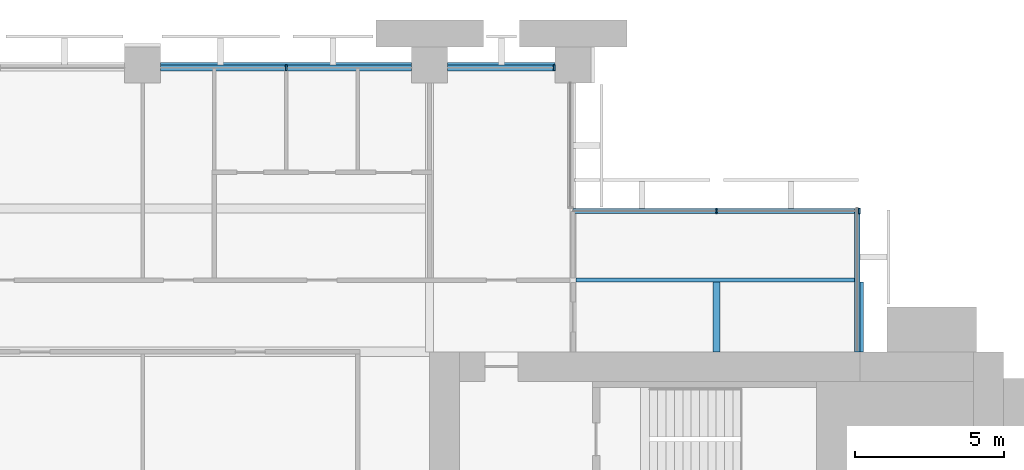
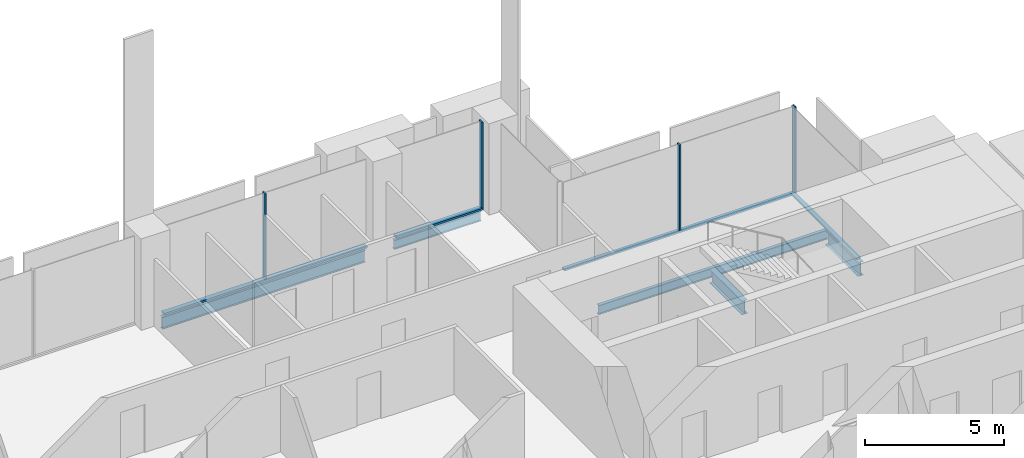
# One storey, part 7 of 14: 8 members, 5 beams, 3 elements without a shape of their own.
"""IFC4 building model written with IfcOpenShell, lengths in metres."""

from ifc_helpers import new_model, si_unit, direction, frame, origin, origin_2d, place, context, subcontext, project, spatial, rectangle, i_section, extrude, material, material_profile, profile_set, type_object, element, aggregate, save


model = new_model("IFC4")

# Units and contexts
model_context = context("Model", 3, precision=1e-05, world=origin(), true_north=direction((0.0, 1.0)))
body_context = subcontext(model_context, "Body", "Model", "MODEL_VIEW")
ifc_project = project(units=[si_unit("LENGTHUNIT", "METRE"), si_unit("AREAUNIT", "SQUARE_METRE"), si_unit("VOLUMEUNIT", "CUBIC_METRE"), si_unit("PLANEANGLEUNIT", "RADIAN"), si_unit("MASSUNIT", "GRAM", prefix="KILO")], contexts=[model_context])

# Site, building, storey
site_placement = place(None, origin())
site = spatial("IfcSite", under=ifc_project, at=site_placement, CompositionType="ELEMENT")
building_placement = place(site_placement, origin())
building = spatial("IfcBuilding", under=site, at=building_placement, Name="Baori Bourse Tower", CompositionType="ELEMENT")
storey_placement = place(building_placement, frame((0.0, 0.0, 120.10009765625)))
storey = spatial("IfcBuildingStorey", under=building, at=storey_placement, Name="L25", CompositionType="ELEMENT", Elevation=120.10009765625)

# Curtain wall, members
ifc_material_1 = material(Name="Pale anodised aluminium", Category="aluminium")
curtain_wall_type_1 = type_object("IfcCurtainWallType", Name="CW1 Curtain wall", PredefinedType="NOTDEFINED", material=ifc_material_1)
curtain_wall_1_placement = place(storey_placement, origin())
curtain_wall_1 = element("IfcCurtainWall", 1, at=curtain_wall_1_placement, inside=storey, type_object=curtain_wall_type_1, Name="Curtain wall CW1 L25 4", PredefinedType="NOTDEFINED")
ifc_material_2 = material(Name="Pale anodised aluminium", Category="aluminium")
ifc_material_profile_1 = material_profile(ifc_material_2, rectangle(XDim=0.199951171875, YDim=0.06005859375, at=origin_2d()), Name="Mullion 60x200")
ifc_profile_set_1 = profile_set([ifc_material_profile_1], Name="Pale anodised aluminium")
member_type_1 = type_object("IfcMemberType", Name="CW1 Curtain wall mullion", PredefinedType="MULLION", material=ifc_profile_set_1)
member_1_placement = place(storey_placement, frame((42.570068359375, 47.89990234375, 0.079833984375), z_axis=(0.0, 0.0, 1.0), x_axis=(0.0, -1.0, 0.0)))
member_1 = element("IfcMember", 2, at=member_1_placement, type_object=member_type_1, Name="Curtain wall CW1 mullion", PredefinedType="MULLION", context=body_context, shape_type="SweptSolid", body=[
    extrude(rectangle(XDim=0.199951171875, YDim=0.06005859375, at=origin_2d()), origin(), (0.0, 0.0, 1.0), 3.760009765625),
])
member_2_placement = place(storey_placement, frame((33.60009765625, 47.89990234375, 0.079833984375), z_axis=(0.0, 0.0, 1.0), x_axis=(0.0, -1.0, 0.0)))
member_2 = element("IfcMember", 3, at=member_2_placement, type_object=member_type_1, Name="Curtain wall CW1 mullion", PredefinedType="MULLION", context=body_context, shape_type="SweptSolid", body=[
    extrude(rectangle(XDim=0.199951171875, YDim=0.06005859375, at=origin_2d()), origin(), (0.0, 0.0, 1.0), 3.760009765625),
])
ifc_material_3 = material(Name="Pale anodised aluminium", Category="aluminium")
ifc_material_profile_2 = material_profile(ifc_material_3, rectangle(XDim=0.199951171875, YDim=0.080078125, at=origin_2d()), Name="Transom 80x200")
ifc_profile_set_2 = profile_set([ifc_material_profile_2], Name="Pale anodised aluminium")
member_type_2 = type_object("IfcMemberType", Name="CW1 Curtain wall transom", PredefinedType="USERDEFINED", material=ifc_profile_set_2)
member_3_placement = place(storey_placement, frame((42.60009765625, 47.89990234375, 0.039794921875), z_axis=(-1.0, 0.0, 0.0), x_axis=(0.0, -1.0, 0.0)))
member_3 = element("IfcMember", 4, at=member_3_placement, type_object=member_type_2, Name="Curtain wall CW1 sill rail", ObjectType="TRANSOM", PredefinedType="USERDEFINED", context=body_context, shape_type="SweptSolid", body=[
    extrude(rectangle(XDim=0.199951171875, YDim=0.080078125, at=origin_2d()), origin(), (0.0, 0.0, 1.0), 3.60009765625),
])
member_4_placement = place(storey_placement, frame((37.800048828125, 47.89990234375, 0.039794921875), z_axis=(-1.0, 0.0, 0.0), x_axis=(0.0, -1.0, 0.0)))
member_4 = element("IfcMember", 5, at=member_4_placement, type_object=member_type_2, Name="Curtain wall CW1 sill rail", ObjectType="TRANSOM", PredefinedType="USERDEFINED", context=body_context, shape_type="SweptSolid", body=[
    extrude(rectangle(XDim=0.199951171875, YDim=0.080078125, at=origin_2d()), origin(), (0.0, 0.0, 1.0), 8.400146484375),
])
aggregate(curtain_wall_1, [member_3, member_1, member_4, member_2])

ifc_material_4 = material(Name="Pale anodised aluminium", Category="aluminium")
curtain_wall_type_2 = type_object("IfcCurtainWallType", Name="CW2 Curtain wall", PredefinedType="NOTDEFINED", material=ifc_material_4)
curtain_wall_2_placement = place(storey_placement, origin())
curtain_wall_2 = element("IfcCurtainWall", 6, at=curtain_wall_2_placement, inside=storey, type_object=curtain_wall_type_2, Name="Curtain wall CW2 L25 2", PredefinedType="NOTDEFINED")
ifc_material_5 = material(Name="Pale anodised aluminium", Category="aluminium")
ifc_material_profile_3 = material_profile(ifc_material_5, rectangle(XDim=0.179931640625, YDim=0.054931640625, at=origin_2d()), Name="Mullion 55x180")
ifc_profile_set_3 = profile_set([ifc_material_profile_3], Name="Pale anodised aluminium")
member_type_3 = type_object("IfcMemberType", Name="CW2 Curtain wall mullion", PredefinedType="MULLION", material=ifc_profile_set_3)
member_5_placement = place(storey_placement, frame((52.7724609375, 43.110107421875, 0.06982421875), z_axis=(0.0, 0.0, 1.0), x_axis=(0.0, -1.0, 0.0)))
member_5 = element("IfcMember", 7, at=member_5_placement, type_object=member_type_3, Name="Curtain wall CW2 mullion", PredefinedType="MULLION", context=body_context, shape_type="SweptSolid", body=[
    extrude(rectangle(XDim=0.179931640625, YDim=0.054931640625, at=origin_2d()), origin(), (0.0, 0.0, 1.0), 3.77001953125),
])
member_6_placement = place(storey_placement, frame((48.0, 43.110107421875, 0.06982421875), z_axis=(0.0, 0.0, 1.0), x_axis=(0.0, -1.0, 0.0)))
member_6 = element("IfcMember", 8, at=member_6_placement, type_object=member_type_3, Name="Curtain wall CW2 mullion", PredefinedType="MULLION", context=body_context, shape_type="SweptSolid", body=[
    extrude(rectangle(XDim=0.179931640625, YDim=0.054931640625, at=origin_2d()), origin(), (0.0, 0.0, 1.0), 3.77001953125),
])

# Curtain wall, member
curtain_wall_3_placement = place(storey_placement, origin())
curtain_wall_3 = element("IfcCurtainWall", 9, at=curtain_wall_3_placement, inside=storey, type_object=curtain_wall_type_2, Name="Curtain wall CW2 L25 1", PredefinedType="NOTDEFINED")
ifc_material_6 = material(Name="Pale anodised aluminium", Category="aluminium")
ifc_material_profile_4 = material_profile(ifc_material_6, rectangle(XDim=0.179931640625, YDim=0.070068359375, at=origin_2d()), Name="Transom 70x180")
ifc_profile_set_4 = profile_set([ifc_material_profile_4], Name="Pale anodised aluminium")
member_type_4 = type_object("IfcMemberType", Name="CW2 Curtain wall transom", PredefinedType="USERDEFINED", material=ifc_profile_set_4)
member_7_placement = place(storey_placement, frame((52.7099609375, 38.39990234375, 0.034912109375), z_axis=(0.0, 1.0, 0.0), x_axis=(-1.0, 0.0, 0.0)))
member_7 = element("IfcMember", 10, at=member_7_placement, type_object=member_type_4, Name="Curtain wall CW2 sill rail", ObjectType="TRANSOM", PredefinedType="USERDEFINED", context=body_context, shape_type="SweptSolid", body=[
    extrude(rectangle(XDim=0.179931640625, YDim=0.070068359375, at=origin_2d()), origin(), (0.0, 0.0, 1.0), 4.800048828125),
])
aggregate(curtain_wall_3, [member_7])

# Member
member_8_placement = place(storey_placement, frame((52.800048828125, 43.110107421875, 0.034912109375), z_axis=(-1.0, 0.0, 0.0), x_axis=(0.0, -1.0, 0.0)))
member_8 = element("IfcMember", 11, at=member_8_placement, type_object=member_type_4, Name="Curtain wall CW2 sill rail", ObjectType="TRANSOM", PredefinedType="USERDEFINED", context=body_context, shape_type="SweptSolid", body=[
    extrude(rectangle(XDim=0.179931640625, YDim=0.070068359375, at=origin_2d()), origin(), (0.0, 0.0, 1.0), 9.60009765625),
])

aggregate(curtain_wall_2, [member_8, member_5, member_6])

# Beams
ifc_material_7 = material(Name="Steel A992 Gr 50", Category="steel")
ifc_material_profile_5 = material_profile(ifc_material_7, i_section(OverallWidth=0.227783203125, OverallDepth=0.60205078125, WebThickness=0.010498046875, FlangeThickness=0.014892578125, at=origin_2d()), Name="W24x68")
ifc_profile_set_5 = profile_set([ifc_material_profile_5], Name="Steel A992 Gr 50")
beam_type_1 = type_object("IfcBeamType", Name="Core bracket W24x68", PredefinedType="BEAM", material=ifc_profile_set_5)
for number, where, z_axis, x_axis, name in (
    (12, (48.0, 38.39990234375, -0.461181640625), (0.0, 1.0, 0.0), (-1.0, 0.0, 0.0), "Core bracket L25"),
    (13, (52.800048828125, 38.39990234375, -0.461181640625), (0.0, 1.0, 0.0), (-1.0, 0.0, 0.0), "Core bracket L25"),
):
    element("IfcBeam", number, at=place(storey_placement, frame(where, z_axis=z_axis, x_axis=x_axis)), inside=storey, type_object=beam_type_1, Name=name, PredefinedType="BEAM", context=body_context, shape_type="SweptSolid", body=[
        extrude(i_section(OverallWidth=0.227783203125, OverallDepth=0.60205078125, WebThickness=0.010498046875, FlangeThickness=0.014892578125, at=origin_2d()), origin(), (0.0, 0.0, 1.0), 2.329833984375),
    ])
ifc_material_8 = material(Name="Steel A992 Gr 50", Category="steel")
ifc_material_profile_6 = material_profile(ifc_material_8, i_section(OverallWidth=0.140380859375, OverallDepth=0.40380859375, WebThickness=0.007080078125, FlangeThickness=0.01123046875, at=origin_2d()), Name="W16x31")
ifc_profile_set_6 = profile_set([ifc_material_profile_6], Name="Steel A992 Gr 50")
beam_type_2 = type_object("IfcBeamType", Name="Edge beam W16x31", PredefinedType="BEAM", material=ifc_profile_set_6)
beam_1_placement = place(storey_placement, frame((39.0, 48.0, -0.362060546875), z_axis=(1.0, 0.0, 0.0), x_axis=(0.0, 1.0, 0.0)))
element("IfcBeam", 14, at=beam_1_placement, inside=storey, type_object=beam_type_2, Name="Edge beam L25", PredefinedType="BEAM", context=body_context, shape_type="SweptSolid", body=[
    extrude(i_section(OverallWidth=0.140380859375, OverallDepth=0.40380859375, WebThickness=0.007080078125, FlangeThickness=0.01123046875, at=origin_2d()), origin(), (0.0, 0.0, 1.0), 3.60009765625),
])
ifc_material_9 = material(Name="Steel A992 Gr 50", Category="steel")
ifc_material_profile_7 = material_profile(ifc_material_9, i_section(OverallWidth=0.1650390625, OverallDepth=0.52587890625, WebThickness=0.0087890625, FlangeThickness=0.011474609375, at=origin_2d()), Name="W21x44")
ifc_profile_set_7 = profile_set([ifc_material_profile_7], Name="Steel A992 Gr 50")
beam_type_3 = type_object("IfcBeamType", Name="Edge beam W21x44", PredefinedType="BEAM", material=ifc_profile_set_7)
beam_2_placement = place(storey_placement, frame((29.39990234375, 48.0, -0.423095703125), z_axis=(1.0, 0.0, 0.0), x_axis=(0.0, 1.0, 0.0)))
element("IfcBeam", 15, at=beam_2_placement, inside=storey, type_object=beam_type_3, Name="Edge beam L25", PredefinedType="BEAM", context=body_context, shape_type="SweptSolid", body=[
    extrude(i_section(OverallWidth=0.1650390625, OverallDepth=0.52587890625, WebThickness=0.0087890625, FlangeThickness=0.011474609375, at=origin_2d()), origin(), (0.0, 0.0, 1.0), 8.400146484375),
])
ifc_material_10 = material(Name="Steel A992 Gr 50", Category="steel")
ifc_material_profile_8 = material_profile(ifc_material_10, i_section(OverallWidth=0.140380859375, OverallDepth=0.40380859375, WebThickness=0.007080078125, FlangeThickness=0.01123046875, at=origin_2d()), Name="W16x31")
ifc_profile_set_8 = profile_set([ifc_material_profile_8], Name="Steel A992 Gr 50")
beam_type_4 = type_object("IfcBeamType", Name="Trimmer beam W16x31", PredefinedType="BEAM", material=ifc_profile_set_8)
beam_3_placement = place(storey_placement, frame((43.30615234375, 40.800048828125, -0.362060546875), z_axis=(1.0, 0.0, 0.0), x_axis=(0.0, 1.0, 0.0)))
element("IfcBeam", 16, at=beam_3_placement, inside=storey, type_object=beam_type_4, Name="Trimmer beam L25", PredefinedType="BEAM", context=body_context, shape_type="SweptSolid", body=[
    extrude(i_section(OverallWidth=0.140380859375, OverallDepth=0.40380859375, WebThickness=0.007080078125, FlangeThickness=0.01123046875, at=origin_2d()), origin(), (0.0, 0.0, 1.0), 9.493896484375),
])

save(model, "model.ifc")
